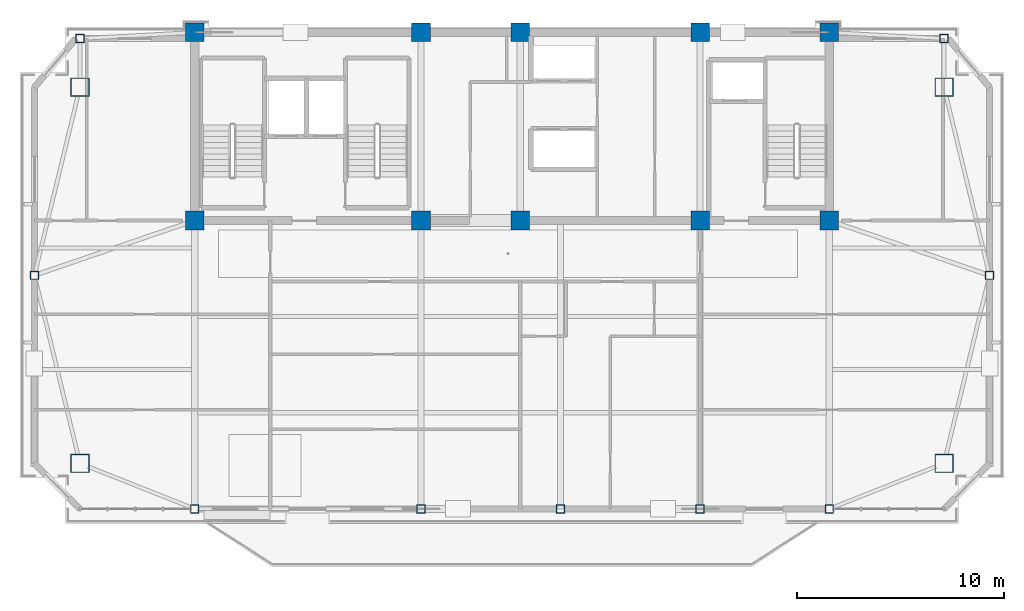
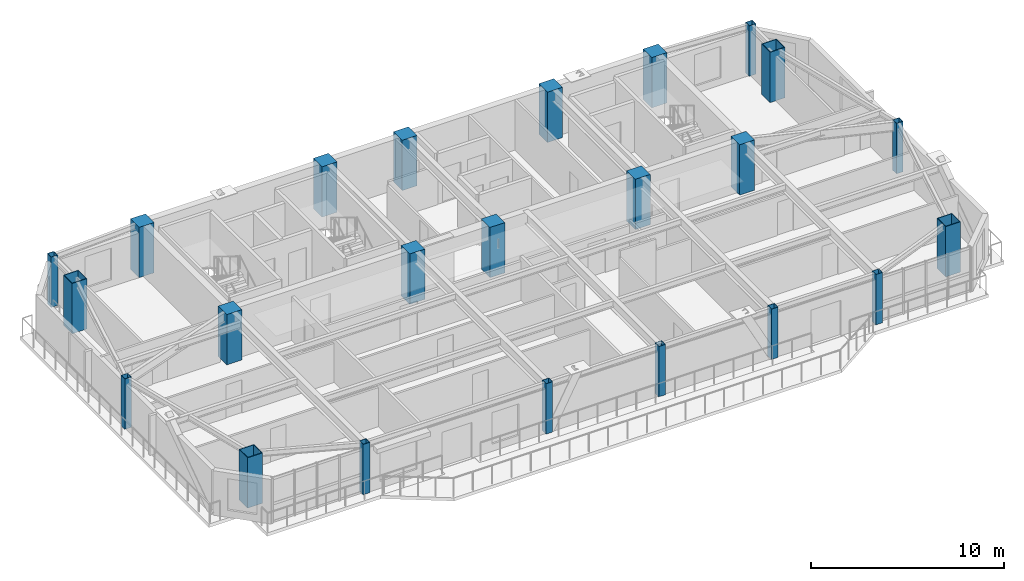
# One storey, part 1 of 12: 23 columns.
"""IFC4 building model written with IfcOpenShell, lengths in metres."""

from ifc_helpers import new_model, si_unit, direction, frame, origin, origin_2d, place, context, subcontext, project, spatial, rectangle, hollow_rectangle, extrude, source, transform, mapped, material, material_profile, profile_set, type_object, element, save


model = new_model("IFC4")

# Units and contexts
model_context = context("Model", 3, precision=1e-05, world=origin(), true_north=direction((0.0, 1.0)))
body_context = subcontext(model_context, "Body", "Model", "MODEL_VIEW")
ifc_project = project(units=[si_unit("LENGTHUNIT", "METRE"), si_unit("AREAUNIT", "SQUARE_METRE"), si_unit("VOLUMEUNIT", "CUBIC_METRE"), si_unit("PLANEANGLEUNIT", "RADIAN"), si_unit("MASSUNIT", "GRAM", prefix="KILO")], contexts=[model_context])

# Site, building, storey
site_placement = place(None, origin())
site = spatial("IfcSite", under=ifc_project, at=site_placement, CompositionType="ELEMENT")
building_placement = place(site_placement, origin())
building = spatial("IfcBuilding", under=site, at=building_placement, Name="Giltprow Tower", CompositionType="ELEMENT")
storey_placement = place(building_placement, frame((0.0, 0.0, 345.89990234375)))
storey = spatial("IfcBuildingStorey", under=building, at=storey_placement, Name="L90", CompositionType="ELEMENT", Elevation=345.89990234375)

# Columns
ifc_material_1 = material(Name="Concrete C45", Category="concrete")
ifc_material_profile_1 = material_profile(ifc_material_1, rectangle(XDim=0.89990234375, YDim=0.89990234375, at=origin_2d()), Name="RC 900x900")
ifc_profile_set_1 = profile_set([ifc_material_profile_1], Name="Concrete C45")
column_type_1 = type_object("IfcColumnType", Name="PIL-RC-900-C45", PredefinedType="PILASTER", material=ifc_profile_set_1)
shared_shape_1 = source(origin(), body_context, "Body", "SweptSolid", [
    extrude(rectangle(XDim=0.89990234375, YDim=0.89990234375, at=origin_2d()), origin(), (0.0, 0.0, 1.0), 3.18505859375),
])
for number, where, z_axis, x_axis, name in (
    (1, (19.85009765625, 37.449951171875, 0.0), (0.0, 0.0, 1.0), (1.0, 0.0, 0.0), "L90 Core Boundary Pilaster 1-1"),
    (2, (19.85009765625, 46.550048828125, 0.0), (0.0, 0.0, 1.0), (1.0, 0.0, 0.0), "L90 Core Boundary Pilaster 1-2"),
    (3, (30.800048828125, 37.449951171875, 0.0), (0.0, 0.0, 1.0), (1.0, 0.0, 0.0), "L90 Core Boundary Pilaster 2-1"),
    (4, (30.800048828125, 46.550048828125, 0.0), (0.0, 0.0, 1.0), (1.0, 0.0, 0.0), "L90 Core Boundary Pilaster 2-2"),
    (5, (35.60009765625, 37.449951171875, 0.0), (0.0, 0.0, 1.0), (1.0, 0.0, 0.0), "L90 Core Boundary Pilaster 3-1"),
    (6, (35.60009765625, 46.550048828125, 0.0), (0.0, 0.0, 1.0), (1.0, 0.0, 0.0), "L90 Core Boundary Pilaster 3-2"),
    (7, (44.300048828125, 37.449951171875, 0.0), (0.0, 0.0, 1.0), (1.0, 0.0, 0.0), "L90 Core Boundary Pilaster 4-1"),
    (8, (44.300048828125, 46.550048828125, 0.0), (0.0, 0.0, 1.0), (1.0, 0.0, 0.0), "L90 Core Boundary Pilaster 4-2"),
    (9, (50.550048828125, 37.449951171875, 0.0), (0.0, 0.0, 1.0), (1.0, 0.0, 0.0), "L90 Core Boundary Pilaster 5-1"),
    (10, (50.550048828125, 46.550048828125, 0.0), (0.0, 0.0, 1.0), (1.0, 0.0, 0.0), "L90 Core Boundary Pilaster 5-2"),
):
    element("IfcColumn", number, at=place(storey_placement, frame(where, z_axis=z_axis, x_axis=x_axis)), inside=storey, type_object=column_type_1, Name=name, PredefinedType="PILASTER", context=body_context, shape_type="MappedRepresentation", body=[
        mapped(shared_shape_1, transform((0.0, 0.0, 0.0), x_axis=(1.0, 0.0, 0.0), y_axis=(0.0, 1.0, 0.0), z_axis=(0.0, 0.0, 1.0), scale=1.0)),
    ])
ifc_material_2 = material(Name="Structural steel Q420GJC", Category="steel")
ifc_material_profile_2 = material_profile(ifc_material_2, hollow_rectangle(XDim=0.89990234375, YDim=0.89990234375, WallThickness=0.0400390625, at=origin_2d()), Name="BOX 900x900x40")
ifc_profile_set_2 = profile_set([ifc_material_profile_2], Name="Structural steel Q420GJC")
column_type_2 = type_object("IfcColumnType", Name="COL-BOX-900x900x40", PredefinedType="COLUMN", material=ifc_profile_set_2)
shared_shape_2 = source(origin(), body_context, "Body", "SweptSolid", [
    extrude(hollow_rectangle(XDim=0.89990234375, YDim=0.89990234375, WallThickness=0.0400390625, at=origin_2d()), origin(), (0.0, 0.0, 1.0), 3.18505859375),
])
for number, where, z_axis, x_axis, name in (
    (11, (14.300048828125, 25.699951171875, 0.0), (0.0, 0.0, 1.0), (1.0, 0.0, 0.0), "L90 Mega-Column MC_SW"),
    (12, (56.10009765625, 25.699951171875, 0.0), (0.0, 0.0, 1.0), (1.0, 0.0, 0.0), "L90 Mega-Column MC_SE"),
    (13, (14.300048828125, 43.89990234375, 0.0), (0.0, 0.0, 1.0), (1.0, 0.0, 0.0), "L90 Mega-Column MC_NW"),
    (14, (56.10009765625, 43.89990234375, 0.0), (0.0, 0.0, 1.0), (1.0, 0.0, 0.0), "L90 Mega-Column MC_NE"),
):
    element("IfcColumn", number, at=place(storey_placement, frame(where, z_axis=z_axis, x_axis=x_axis)), inside=storey, type_object=column_type_2, Name=name, PredefinedType="COLUMN", context=body_context, shape_type="MappedRepresentation", body=[
        mapped(shared_shape_2, transform((0.0, 0.0, 0.0), x_axis=(1.0, 0.0, 0.0), y_axis=(0.0, 1.0, 0.0), z_axis=(0.0, 0.0, 1.0), scale=1.0)),
    ])
ifc_material_3 = material(Name="Structural steel Q355B", Category="steel")
ifc_material_profile_3 = material_profile(ifc_material_3, hollow_rectangle(XDim=0.39990234375, YDim=0.39990234375, WallThickness=0.02001953125, at=origin_2d()), Name="BOX 400x400x20")
ifc_profile_set_3 = profile_set([ifc_material_profile_3], Name="Structural steel Q355B")
column_type_3 = type_object("IfcColumnType", Name="COL-BOX-400x400x20", PredefinedType="COLUMN", material=ifc_profile_set_3)
shared_shape_3 = source(origin(), body_context, "Body", "SweptSolid", [
    extrude(hollow_rectangle(XDim=0.39990234375, YDim=0.39990234375, WallThickness=0.02001953125, at=origin_2d()), origin(), (0.0, 0.0, 1.0), 3.18505859375),
])
for number, where, z_axis, x_axis, name in (
    (15, (19.85009765625, 23.5, 0.0), (0.0, 0.0, 1.0), (1.0, 0.0, 0.0), "L90 Perimeter Column S1"),
    (16, (30.800048828125, 23.5, 0.0), (0.0, 0.0, 1.0), (1.0, 0.0, 0.0), "L90 Perimeter Column S2"),
    (17, (37.550048828125, 23.5, 0.0), (0.0, 0.0, 1.0), (1.0, 0.0, 0.0), "L90 Perimeter Column S_MID"),
    (18, (44.300048828125, 23.5, 0.0), (0.0, 0.0, 1.0), (1.0, 0.0, 0.0), "L90 Perimeter Column S3"),
    (19, (50.550048828125, 23.5, 0.0), (0.0, 0.0, 1.0), (1.0, 0.0, 0.0), "L90 Perimeter Column S4"),
    (20, (12.10009765625, 34.800048828125, 0.0), (0.0, 0.0, 1.0), (1.0, 0.0, 0.0), "L90 Perimeter Column W_MID"),
    (21, (58.300048828125, 34.800048828125, 0.0), (0.0, 0.0, 1.0), (1.0, 0.0, 0.0), "L90 Perimeter Column E_MID"),
    (22, (14.300048828125, 46.25, 0.0), (0.0, 0.0, 1.0), (1.0, 0.0, 0.0), "L90 Perimeter Column N_W"),
    (23, (56.10009765625, 46.25, 0.0), (0.0, 0.0, 1.0), (1.0, 0.0, 0.0), "L90 Perimeter Column N_E"),
):
    element("IfcColumn", number, at=place(storey_placement, frame(where, z_axis=z_axis, x_axis=x_axis)), inside=storey, type_object=column_type_3, Name=name, PredefinedType="COLUMN", context=body_context, shape_type="MappedRepresentation", body=[
        mapped(shared_shape_3, transform((0.0, 0.0, 0.0), x_axis=(1.0, 0.0, 0.0), y_axis=(0.0, 1.0, 0.0), z_axis=(0.0, 0.0, 1.0), scale=1.0)),
    ])

save(model, "model.ifc")
